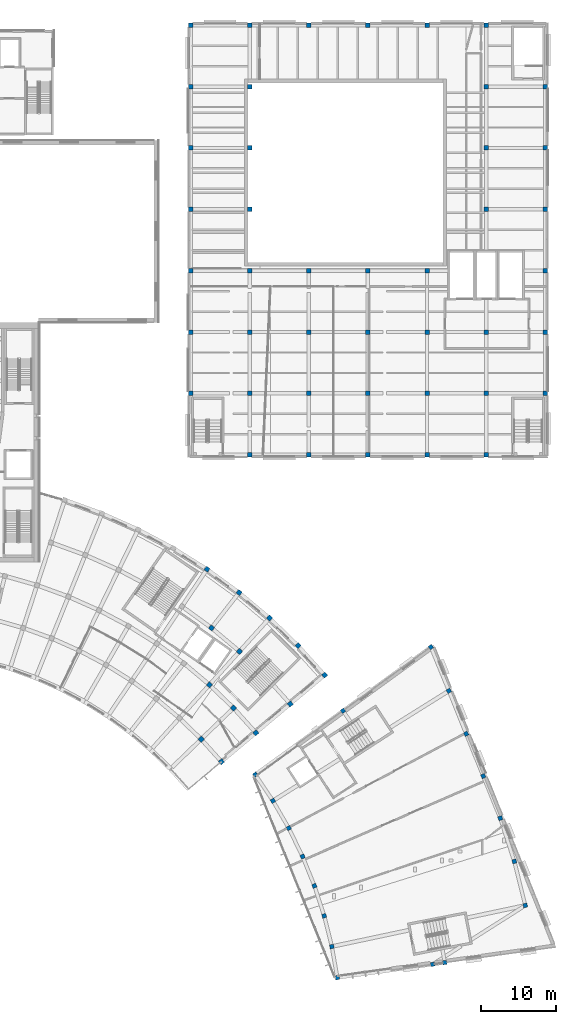
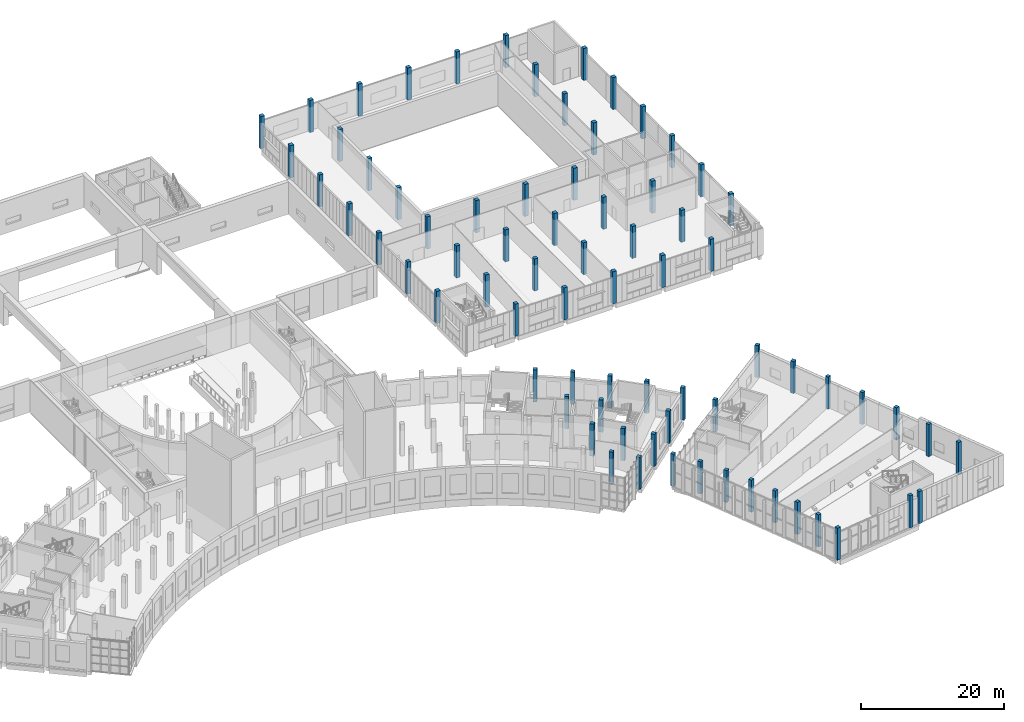
# One storey, part 2 of 87: 74 columns.
"""IFC4 building model written with IfcOpenShell, lengths in metres."""

from ifc_helpers import new_model, si_unit, direction, frame, origin, origin_2d, place, context, subcontext, project, spatial, rectangle, extrude, material, material_profile, profile_set, type_object, element, save


model = new_model("IFC4")

# Units and contexts
model_context = context("Model", 3, precision=1e-05, world=origin(), true_north=direction((0.0, 1.0)))
body_context = subcontext(model_context, "Body", "Model", "MODEL_VIEW")
ifc_project = project(units=[si_unit("LENGTHUNIT", "METRE"), si_unit("AREAUNIT", "SQUARE_METRE"), si_unit("VOLUMEUNIT", "CUBIC_METRE"), si_unit("PLANEANGLEUNIT", "RADIAN"), si_unit("MASSUNIT", "GRAM", prefix="KILO")], contexts=[model_context])

# Site, building, storey
site_placement = place(None, origin())
site = spatial("IfcSite", under=ifc_project, at=site_placement, CompositionType="ELEMENT")
building_placement = place(site_placement, origin())
building = spatial("IfcBuilding", under=site, at=building_placement, Name="Lunette Opera House", CompositionType="ELEMENT")
storey_placement = place(building_placement, frame((0.0, 0.0, 11.5)))
storey = spatial("IfcBuildingStorey", under=building, at=storey_placement, Name="L02", CompositionType="ELEMENT", Elevation=11.5)

# Columns
ifc_material_1 = material(Name="Concrete C35/45", Category="concrete")
ifc_material_profile_1 = material_profile(ifc_material_1, rectangle(XDim=0.550048828125, YDim=0.550048828125, at=origin_2d()), Name="RC COLUMN 550X550")
ifc_profile_set_1 = profile_set([ifc_material_profile_1], Name="Concrete C35/45")
column_type_1 = type_object("IfcColumnType", Name="RC COLUMN 550X550", PredefinedType="COLUMN", material=ifc_profile_set_1)
for number, where, z_axis, x_axis, name in (
    (1, (144.946044921875, 35.56103515625, 0.0), (0.0, 0.0, 1.0), (0.587785252292, -0.809016994375, 0.0), "col-SB-L02-C00"),
    (2, (147.306884765625, 32.06005859375, 0.0), (0.0, 0.0, 1.0), (0.529919264233, -0.848048096156, 0.0), "col-SB-L02-C01"),
    (3, (149.41796875, 28.403076171875, 0.0), (0.0, 0.0, 1.0), (0.469471562786, -0.882947592859, 0.0), "col-SB-L02-C02"),
    (4, (151.27001953125, 24.60791015625, 0.0), (0.0, 0.0, 1.0), (0.406736643076, -0.913545457643, 0.0), "col-SB-L02-C03"),
    (5, (152.85107421875, 20.69189453125, 0.0), (0.0, 0.0, 1.0), (0.342020143326, -0.939692620786, 0.0), "col-SB-L02-C04"),
    (6, (154.156005859375, 16.676025390625, 0.0), (0.0, 0.0, 1.0), (0.275637355817, -0.961261695938, 0.0), "col-SB-L02-C05"),
    (7, (155.177978515625, 12.5791015625, 0.0), (0.0, 0.0, 1.0), (0.207911690818, -0.978147600734, 0.0), "col-SB-L02-C06"),
    (8, (155.910888671875, 8.419921875, 0.0), (0.0, 0.0, 1.0), (0.13917310096, -0.990268068742, 0.0), "col-SB-L02-C07"),
    (9, (156.676025390625, 44.083984375, 0.0), (0.0, 0.0, 1.0), (0.587785252292, -0.809016994375, 0.0), "col-SB-L02-C10"),
    (10, (170.27001953125, 10.43798828125, 0.0), (0.0, 0.0, 1.0), (0.13917310096, -0.990268068742, 0.0), "col-SB-L02-C17"),
    (11, (168.406982421875, 52.60693359375, 0.0), (0.0, 0.0, 1.0), (0.587785252292, -0.809016994375, 0.0), "col-SB-L02-C20"),
    (12, (170.818115234375, 46.751953125, 0.0), (0.0, 0.0, 1.0), (0.529919264233, -0.848048096156, 0.0), "col-SB-L02-C21"),
    (13, (173.133056640625, 41.011962890625, 0.0), (0.0, 0.0, 1.0), (0.469471562786, -0.882947592859, 0.0), "col-SB-L02-C22"),
    (14, (175.4150390625, 35.35791015625, 0.0), (0.0, 0.0, 1.0), (0.406736643076, -0.913545457643, 0.0), "col-SB-L02-C23"),
    (15, (177.68798828125, 29.73193359375, 0.0), (0.0, 0.0, 1.0), (0.342020143326, -0.939692620786, 0.0), "col-SB-L02-C24"),
    (16, (179.56298828125, 23.9609375, 0.0), (0.0, 0.0, 1.0), (0.275637355817, -0.961261695938, 0.0), "col-SB-L02-C25"),
    (17, (181.030029296875, 18.073974609375, 0.0), (0.0, 0.0, 1.0), (0.207911690818, -0.978147600734, 0.0), "col-SB-L02-C26"),
    (18, (168.64697265625, 10.2099609375, 0.0), (0.0, 0.0, 1.0), (0.13917310096, -0.990268068742, 0.0), "col-SB-L02-C27"),
):
    element("IfcColumn", number, at=place(storey_placement, frame(where, z_axis=z_axis, x_axis=x_axis)), inside=storey, type_object=column_type_1, Name=name, PredefinedType="COLUMN", context=body_context, shape_type="SweptSolid", body=[
        extrude(rectangle(XDim=0.550048828125, YDim=0.550048828125, at=origin_2d()), origin(), (0.0, 0.0, 1.0), 5.5),
    ])
ifc_material_2 = material(Name="Concrete C35/45", Category="concrete")
ifc_material_profile_2 = material_profile(ifc_material_2, rectangle(XDim=0.60009765625, YDim=0.60009765625, at=origin_2d()), Name="RC COLUMN 600X600")
ifc_profile_set_2 = profile_set([ifc_material_profile_2], Name="Concrete C35/45")
column_type_2 = type_object("IfcColumnType", Name="RC COLUMN 600X600", PredefinedType="COLUMN", material=ifc_profile_set_2)
for number, where, z_axis, x_axis, name in (
    (19, (137.721923828125, 40.2900390625, 0.0), (0.0, 0.0, 1.0), (0.694658370459, -0.719339800339, 0.0), "col-FC-L02-AR-M1-RL-25"),
    (20, (140.430908203125, 37.281982421875, 0.0), (0.0, 0.0, 1.0), (0.642787609687, -0.766044443119, 0.0), "col-FC-L02-AR-M1-RL-26"),
    (21, (138.823974609375, 47.56103515625, 0.0), (0.0, 0.0, 1.0), (0.743144825477, -0.669130606359, 0.0), "col-FC-L02-AR-B-RL-24"),
    (22, (142.0380859375, 44.4580078125, 0.0), (0.0, 0.0, 1.0), (0.694658370459, -0.719339800339, 0.0), "col-FC-L02-AR-B-RL-25"),
    (23, (145.027099609375, 41.137939453125, 0.0), (0.0, 0.0, 1.0), (0.642787609687, -0.766044443119, 0.0), "col-FC-L02-AR-B-RL-26"),
    (24, (139.095947265625, 55.160888671875, 0.0), (0.0, 0.0, 1.0), (0.788010753607, -0.615661475326, 0.0), "col-FC-L02-AR-M2-RL-23"),
    (25, (142.839111328125, 52.02001953125, 0.0), (0.0, 0.0, 1.0), (0.743144825477, -0.669130606359, 0.0), "col-FC-L02-AR-M2-RL-24"),
    (26, (149.623046875, 44.9951171875, 0.0), (0.0, 0.0, 1.0), (0.642787609687, -0.766044443119, 0.0), "col-FC-L02-AR-M2-RL-26"),
    (27, (138.4990234375, 63.007080078125, 0.0), (0.0, 0.0, 1.0), (0.829037572555, -0.559192903471, 0.0), "col-FC-L02-AR-C-RL-22"),
    (28, (142.7900390625, 59.888916015625, 0.0), (0.0, 0.0, 1.0), (0.788010753607, -0.615661475326, 0.0), "col-FC-L02-AR-C-RL-23"),
    (29, (146.85400390625, 56.47900390625, 0.0), (0.0, 0.0, 1.0), (0.743144825477, -0.669130606359, 0.0), "col-FC-L02-AR-C-RL-24"),
    (30, (150.669921875, 52.7939453125, 0.0), (0.0, 0.0, 1.0), (0.694658370459, -0.719339800339, 0.0), "col-FC-L02-AR-C-RL-25"),
    (31, (154.218994140625, 48.85205078125, 0.0), (0.0, 0.0, 1.0), (0.642787609687, -0.766044443119, 0.0), "col-FC-L02-AR-C-RL-26"),
    (32, (136.300048828125, 86.5, 0.0), (0.0, 0.0, 1.0), (1.0, 0.0, 0.0), "col-WW-L02-C01"),
    (33, (136.300048828125, 94.699951171875, 0.0), (0.0, 0.0, 1.0), (1.0, 0.0, 0.0), "col-WW-L02-C02"),
    (34, (136.300048828125, 102.89990234375, 0.0), (0.0, 0.0, 1.0), (1.0, 0.0, 0.0), "col-WW-L02-C03"),
    (35, (136.300048828125, 111.10009765625, 0.0), (0.0, 0.0, 1.0), (1.0, 0.0, 0.0), "col-WW-L02-C04"),
    (36, (136.300048828125, 119.300048828125, 0.0), (0.0, 0.0, 1.0), (1.0, 0.0, 0.0), "col-WW-L02-C05"),
    (37, (136.300048828125, 127.5, 0.0), (0.0, 0.0, 1.0), (1.0, 0.0, 0.0), "col-WW-L02-C06"),
    (38, (136.300048828125, 135.699951171875, 0.0), (0.0, 0.0, 1.0), (1.0, 0.0, 0.0), "col-WW-L02-C07"),
    (39, (144.199951171875, 78.300048828125, 0.0), (0.0, 0.0, 1.0), (1.0, 0.0, 0.0), "col-WW-L02-C10"),
    (40, (144.199951171875, 86.5, 0.0), (0.0, 0.0, 1.0), (1.0, 0.0, 0.0), "col-WW-L02-C11"),
    (41, (144.199951171875, 94.699951171875, 0.0), (0.0, 0.0, 1.0), (1.0, 0.0, 0.0), "col-WW-L02-C12"),
    (42, (144.199951171875, 102.89990234375, 0.0), (0.0, 0.0, 1.0), (1.0, 0.0, 0.0), "col-WW-L02-C13"),
    (43, (144.199951171875, 111.10009765625, 0.0), (0.0, 0.0, 1.0), (1.0, 0.0, 0.0), "col-WW-L02-C14"),
    (44, (144.199951171875, 119.300048828125, 0.0), (0.0, 0.0, 1.0), (1.0, 0.0, 0.0), "col-WW-L02-C15"),
    (45, (144.199951171875, 127.5, 0.0), (0.0, 0.0, 1.0), (1.0, 0.0, 0.0), "col-WW-L02-C16"),
    (46, (144.199951171875, 135.699951171875, 0.0), (0.0, 0.0, 1.0), (1.0, 0.0, 0.0), "col-WW-L02-C17"),
    (47, (152.10009765625, 78.300048828125, 0.0), (0.0, 0.0, 1.0), (1.0, 0.0, 0.0), "col-WW-L02-C20"),
    (48, (152.10009765625, 86.5, 0.0), (0.0, 0.0, 1.0), (1.0, 0.0, 0.0), "col-WW-L02-C21"),
    (49, (152.10009765625, 94.699951171875, 0.0), (0.0, 0.0, 1.0), (1.0, 0.0, 0.0), "col-WW-L02-C22"),
    (50, (152.10009765625, 102.89990234375, 0.0), (0.0, 0.0, 1.0), (1.0, 0.0, 0.0), "col-WW-L02-C23"),
    (51, (152.10009765625, 135.699951171875, 0.0), (0.0, 0.0, 1.0), (1.0, 0.0, 0.0), "col-WW-L02-C27"),
    (52, (160.0, 78.300048828125, 0.0), (0.0, 0.0, 1.0), (1.0, 0.0, 0.0), "col-WW-L02-C30"),
    (53, (160.0, 86.5, 0.0), (0.0, 0.0, 1.0), (1.0, 0.0, 0.0), "col-WW-L02-C31"),
    (54, (160.0, 94.699951171875, 0.0), (0.0, 0.0, 1.0), (1.0, 0.0, 0.0), "col-WW-L02-C32"),
    (55, (160.0, 102.89990234375, 0.0), (0.0, 0.0, 1.0), (1.0, 0.0, 0.0), "col-WW-L02-C33"),
    (56, (160.0, 135.699951171875, 0.0), (0.0, 0.0, 1.0), (1.0, 0.0, 0.0), "col-WW-L02-C37"),
    (57, (167.89990234375, 78.300048828125, 0.0), (0.0, 0.0, 1.0), (1.0, 0.0, 0.0), "col-WW-L02-C40"),
    (58, (167.89990234375, 86.5, 0.0), (0.0, 0.0, 1.0), (1.0, 0.0, 0.0), "col-WW-L02-C41"),
    (59, (167.89990234375, 94.699951171875, 0.0), (0.0, 0.0, 1.0), (1.0, 0.0, 0.0), "col-WW-L02-C42"),
    (60, (167.89990234375, 102.89990234375, 0.0), (0.0, 0.0, 1.0), (1.0, 0.0, 0.0), "col-WW-L02-C43"),
    (61, (167.89990234375, 135.699951171875, 0.0), (0.0, 0.0, 1.0), (1.0, 0.0, 0.0), "col-WW-L02-C47"),
    (62, (175.800048828125, 78.300048828125, 0.0), (0.0, 0.0, 1.0), (1.0, 0.0, 0.0), "col-WW-L02-C50"),
    (63, (175.800048828125, 86.5, 0.0), (0.0, 0.0, 1.0), (1.0, 0.0, 0.0), "col-WW-L02-C51"),
    (64, (175.800048828125, 94.699951171875, 0.0), (0.0, 0.0, 1.0), (1.0, 0.0, 0.0), "col-WW-L02-C52"),
    (65, (175.800048828125, 111.10009765625, 0.0), (0.0, 0.0, 1.0), (1.0, 0.0, 0.0), "col-WW-L02-C54"),
    (66, (175.800048828125, 119.300048828125, 0.0), (0.0, 0.0, 1.0), (1.0, 0.0, 0.0), "col-WW-L02-C55"),
    (67, (175.800048828125, 127.5, 0.0), (0.0, 0.0, 1.0), (1.0, 0.0, 0.0), "col-WW-L02-C56"),
    (68, (175.800048828125, 135.699951171875, 0.0), (0.0, 0.0, 1.0), (1.0, 0.0, 0.0), "col-WW-L02-C57"),
    (69, (183.699951171875, 86.5, 0.0), (0.0, 0.0, 1.0), (1.0, 0.0, 0.0), "col-WW-L02-C61"),
    (70, (183.699951171875, 94.699951171875, 0.0), (0.0, 0.0, 1.0), (1.0, 0.0, 0.0), "col-WW-L02-C62"),
    (71, (183.699951171875, 102.89990234375, 0.0), (0.0, 0.0, 1.0), (1.0, 0.0, 0.0), "col-WW-L02-C63"),
    (72, (183.699951171875, 111.10009765625, 0.0), (0.0, 0.0, 1.0), (1.0, 0.0, 0.0), "col-WW-L02-C64"),
    (73, (183.699951171875, 119.300048828125, 0.0), (0.0, 0.0, 1.0), (1.0, 0.0, 0.0), "col-WW-L02-C65"),
    (74, (183.699951171875, 127.5, 0.0), (0.0, 0.0, 1.0), (1.0, 0.0, 0.0), "col-WW-L02-C66"),
):
    element("IfcColumn", number, at=place(storey_placement, frame(where, z_axis=z_axis, x_axis=x_axis)), inside=storey, type_object=column_type_2, Name=name, PredefinedType="COLUMN", context=body_context, shape_type="SweptSolid", body=[
        extrude(rectangle(XDim=0.60009765625, YDim=0.60009765625, at=origin_2d()), origin(), (0.0, 0.0, 1.0), 5.5),
    ])

save(model, "model.ifc")
